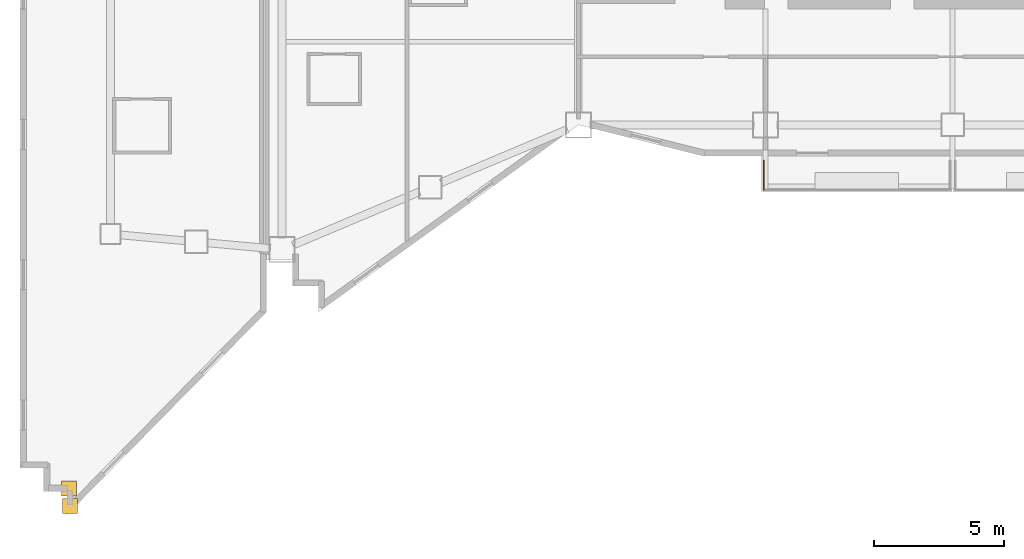
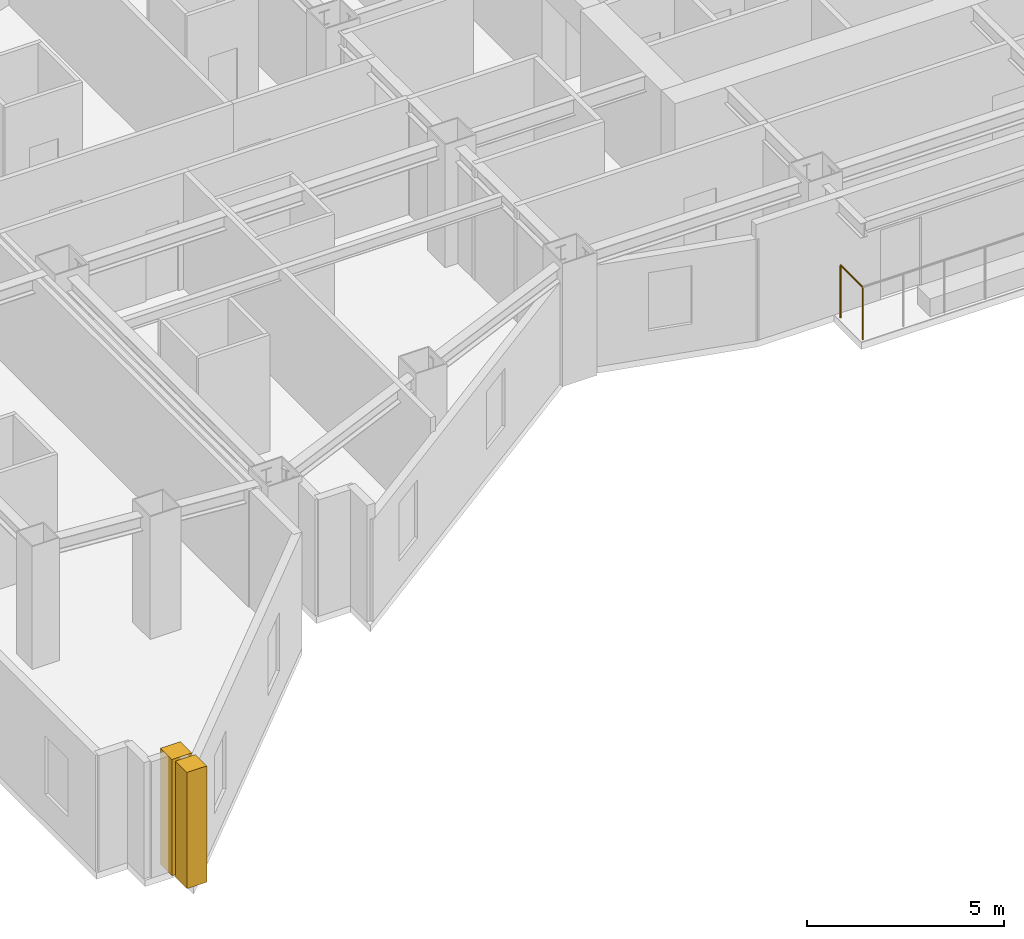
# One storey, part 11 of 14: 2 coverings, 1 railing.
"""IFC4 building model written with IfcOpenShell, lengths in metres."""

from ifc_helpers import new_model, si_unit, direction, frame, origin, origin_2d, place, context, subcontext, project, spatial, rectangle, circle, extrude, material, layer, layer_set, type_object, element, save


model = new_model("IFC4")

# Units and contexts
model_context = context("Model", 3, precision=1e-05, world=origin(), true_north=direction((0.0, 1.0)))
body_context = subcontext(model_context, "Body", "Model", "MODEL_VIEW")
ifc_project = project(units=[si_unit("LENGTHUNIT", "METRE"), si_unit("AREAUNIT", "SQUARE_METRE"), si_unit("VOLUMEUNIT", "CUBIC_METRE"), si_unit("PLANEANGLEUNIT", "RADIAN"), si_unit("MASSUNIT", "GRAM", prefix="KILO")], contexts=[model_context])

# Site, building, storey
site_placement = place(None, origin())
site = spatial("IfcSite", under=ifc_project, at=site_placement, CompositionType="ELEMENT")
building_placement = place(site_placement, origin())
building = spatial("IfcBuilding", under=site, at=building_placement, Name="Haolan Belvedere Tower", CompositionType="ELEMENT")
storey_placement = place(building_placement, frame((0.0, 0.0, 109.800048828125)))
storey = spatial("IfcBuildingStorey", under=building, at=storey_placement, Name="L27", CompositionType="ELEMENT", Elevation=109.800048828125)

# Coverings
ifc_material_1 = material(Name="Pale champagne-silver anodised aluminium rainscreen cladding", Category="aluminium")
ifc_layer = layer(ifc_material_1, 0.034912109375, Name="Pale champagne-silver anodised aluminium rainscreen cladding")
ifc_layer_set = layer_set([ifc_layer], Name="Pale champagne-silver anodised aluminium rainscreen cladding")
covering_type = type_object("IfcCoveringType", Name="COV-CLAD-35", PredefinedType="CLADDING", material=ifc_layer_set)
for number, where, z_axis, x_axis, name in (
    (1, (4.3974609375, 7.614013671875, 0.0), (0.0, 0.0, 1.0), (1.0, 0.0, 0.0), "L27 pale-metal serrated corner cladding trim 1"),
    (2, (4.43994140625, 6.9296875, 0.0), (0.0, 0.0, 1.0), (1.0, 0.0, 0.0), "L27 pale-metal serrated corner cladding trim 2"),
):
    element("IfcCovering", number, at=place(storey_placement, frame(where, z_axis=z_axis, x_axis=x_axis)), inside=storey, type_object=covering_type, Name=name, PredefinedType="CLADDING", context=body_context, shape_type="SweptSolid", body=[
        extrude(rectangle(XDim=0.580078125, YDim=0.580078125, at=origin_2d()), origin(), (0.0, 0.0, 1.0), 3.60009765625),
    ])

# Railing
ifc_material_2 = material(Name="Anodised aluminium and laminated glass balustrade", Category="aluminium")
railing_type = type_object("IfcRailingType", Name="RL-TER-BAL-1150", PredefinedType="BALUSTRADE", material=ifc_material_2)
railing_placement = place(storey_placement, frame((31.1298828125, 19.10009765625, 0.0)))
element("IfcRailing", 3, at=railing_placement, inside=storey, type_object=railing_type, Name="L27 outdoor perimeter balustrade BAL-L27-1-1", PredefinedType="BALUSTRADE", context=body_context, shape_type="SweptSolid", body=[
    extrude(circle(Radius=0.02392578125, at=origin_2d()), frame((0.0, 0.0, 1.6259765625), z_axis=(0.0, 1.0, 0.0), x_axis=(-1.0, 0.0, 0.0)), (0.0, 0.0, 1.0), 1.119873046875),
    extrude(circle(Radius=0.02099609375, at=origin_2d()), origin(), (0.0, 0.0, 1.0), 1.601806640625),
    extrude(circle(Radius=0.02099609375, at=origin_2d()), frame((0.0, 1.119873046875, 0.0)), (0.0, 0.0, 1.0), 1.601806640625),
])

save(model, "model.ifc")
